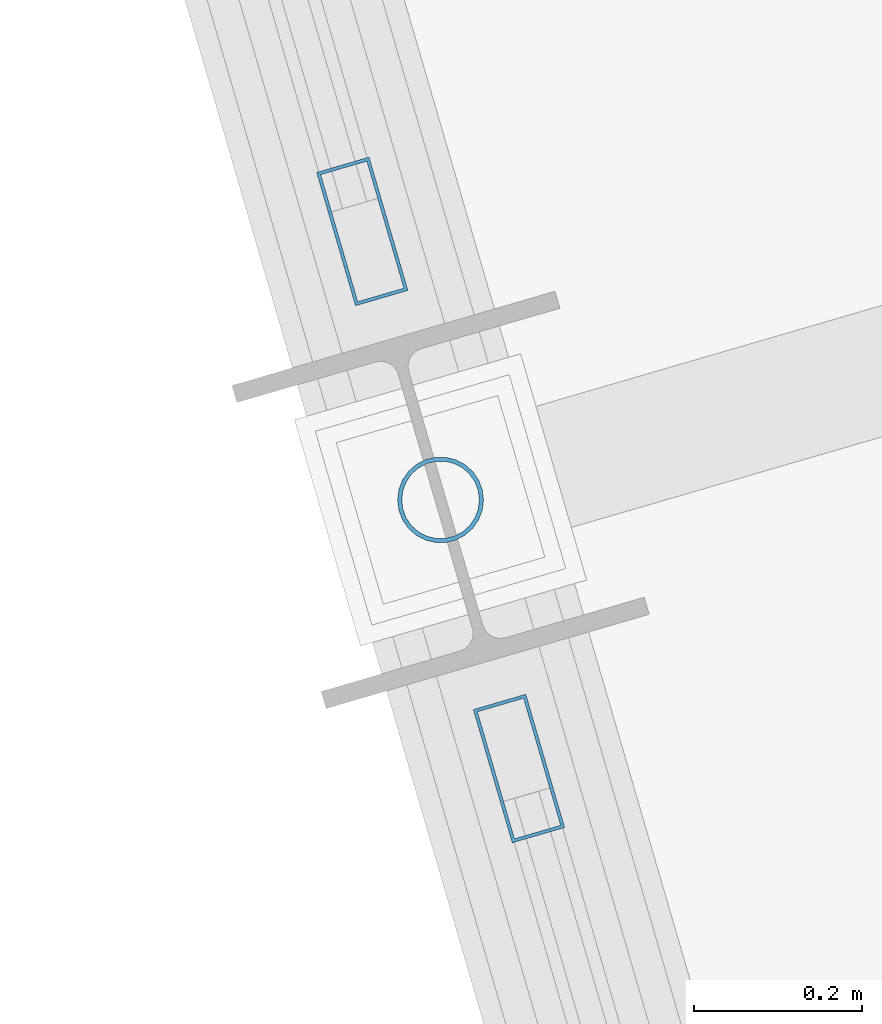
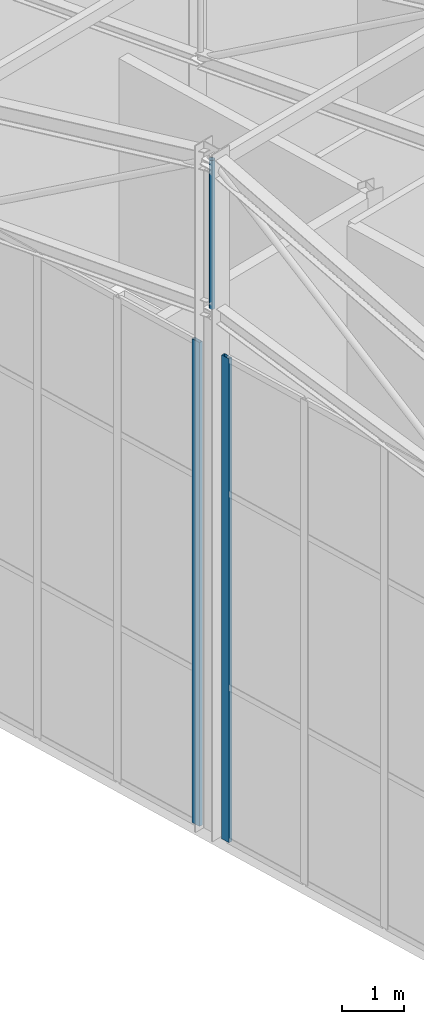
# One storey, part 139 of 248: 3 members, 2 elements without a shape of their own.
"""IFC4 building model written with IfcOpenShell, lengths in metres."""

from ifc_helpers import new_model, si_unit, direction, frame, origin, origin_2d, place, context, subcontext, project, spatial, hollow_rectangle, hollow_circle, extrude, material, layer, layer_set, material_profile, profile_set, type_object, element, aggregate, save


model = new_model("IFC4")

# Units and contexts
model_context = context("Model", 3, precision=1e-05, world=origin(), true_north=direction((0.0, 1.0)))
body_context = subcontext(model_context, "Body", "Model", "MODEL_VIEW")
ifc_project = project(units=[si_unit("LENGTHUNIT", "METRE"), si_unit("AREAUNIT", "SQUARE_METRE"), si_unit("VOLUMEUNIT", "CUBIC_METRE"), si_unit("PLANEANGLEUNIT", "RADIAN"), si_unit("MASSUNIT", "GRAM", prefix="KILO")], contexts=[model_context])

# Site, building, storey
site_placement = place(None, origin())
site = spatial("IfcSite", under=ifc_project, at=site_placement, CompositionType="ELEMENT")
building_placement = place(site_placement, origin())
building = spatial("IfcBuilding", under=site, at=building_placement, Name="Canggui Botanical Conservatory", CompositionType="ELEMENT")
storey_placement = place(building_placement, frame((0.0, 0.0, 5.39990234375)))
storey = spatial("IfcBuildingStorey", under=building, at=storey_placement, Name="L02", CompositionType="ELEMENT", Elevation=5.39990234375)

# Curtain wall, member
ifc_material_1 = material(Name="Thermally Broken Aluminium", Category="aluminium")
ifc_layer = layer(ifc_material_1, 0.1650390625, Name="Thermally Broken Aluminium", Category="aluminium")
ifc_layer_set = layer_set([ifc_layer], Name="Thermally Broken Aluminium")
curtain_wall_type = type_object("IfcCurtainWallType", Name="CW-UNIT-B", PredefinedType="USERDEFINED", material=ifc_layer_set)
curtain_wall_1_placement = place(storey_placement, origin())
curtain_wall_1 = element("IfcCurtainWall", 1, at=curtain_wall_1_placement, inside=storey, type_object=curtain_wall_type, Name="Facade Curtain Wall CW-AUD-FOYER-L02-1", ObjectType="UNITISED CURTAIN WALL", PredefinedType="USERDEFINED")
ifc_material_profile_1 = material_profile(ifc_material_1, hollow_rectangle(XDim=0.06494140625, YDim=0.1650390625, WallThickness=0.00390625, at=origin_2d()), Name="CWM 65x165x4")
ifc_profile_set_1 = profile_set([ifc_material_profile_1], Name="Thermally Broken Aluminium")
member_type_1 = type_object("IfcMemberType", Name="CWM-02", PredefinedType="MULLION", material=ifc_profile_set_1)
member_1_placement = place(storey_placement, frame((62.733154296875, 101.20068359375, 0.0), z_axis=(0.0, 0.0, 1.0), x_axis=(-0.960000000002, -0.279999999995, 0.0)))
member_1 = element("IfcMember", 2, at=member_1_placement, type_object=member_type_1, Name="CW-02 mullion 4", PredefinedType="MULLION", context=body_context, shape_type="SweptSolid", body=[
    extrude(hollow_rectangle(XDim=0.06494140625, YDim=0.1650390625, WallThickness=0.00390625, at=origin_2d()), origin(), (0.0, 0.0, 1.0), 9.60009765625),
])
aggregate(curtain_wall_1, [member_1])

curtain_wall_2_placement = place(storey_placement, origin())
curtain_wall_2 = element("IfcCurtainWall", 3, at=curtain_wall_2_placement, inside=storey, type_object=curtain_wall_type, Name="Facade Curtain Wall CW-AUD-FOYER-L02-2", ObjectType="UNITISED CURTAIN WALL", PredefinedType="USERDEFINED")
member_2_placement = place(storey_placement, frame((62.546875, 101.839111328125, 0.0), z_axis=(0.0, 0.0, 1.0), x_axis=(-0.960000000002, -0.279999999995, 0.0)))
member_2 = element("IfcMember", 4, at=member_2_placement, type_object=member_type_1, Name="CW-02 mullion 1", PredefinedType="MULLION", context=body_context, shape_type="SweptSolid", body=[
    extrude(hollow_rectangle(XDim=0.06494140625, YDim=0.1650390625, WallThickness=0.00390625, at=origin_2d()), origin(), (0.0, 0.0, 1.0), 9.60009765625),
])
aggregate(curtain_wall_2, [member_2])

# Member
ifc_material_2 = material(Name="Steel Q355B", Category="steel")
ifc_material_profile_2 = material_profile(ifc_material_2, hollow_circle(Radius=0.051025390625, WallThickness=0.0048828125, at=origin_2d()), Name="CHS 102x5")
ifc_profile_set_2 = profile_set([ifc_material_profile_2], Name="Steel Q355B")
member_type_2 = type_object("IfcMemberType", Name="MEM-TW04", PredefinedType="BRACE", material=ifc_profile_set_2)
member_3_placement = place(storey_placement, frame((62.639892578125, 101.52001953125, 10.400146484375), z_axis=(0.0, 0.0, 1.0), x_axis=(1.0, 0.0, 0.0)))
element("IfcMember", 5, at=member_3_placement, inside=storey, type_object=member_type_2, Name="Auditorium Truss AT-01 Vertical Post 3", PredefinedType="BRACE", context=body_context, shape_type="SweptSolid", body=[
    extrude(hollow_circle(Radius=0.051025390625, WallThickness=0.0048828125, at=origin_2d()), origin(), (0.0, 0.0, 1.0), 2.949951171875),
])

save(model, "model.ifc")
